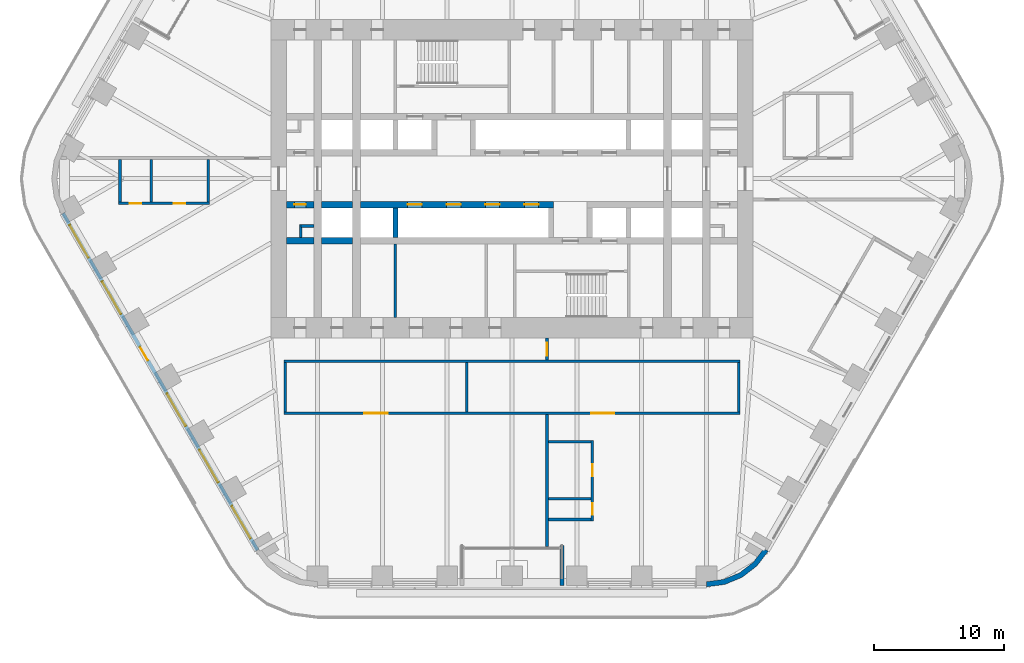
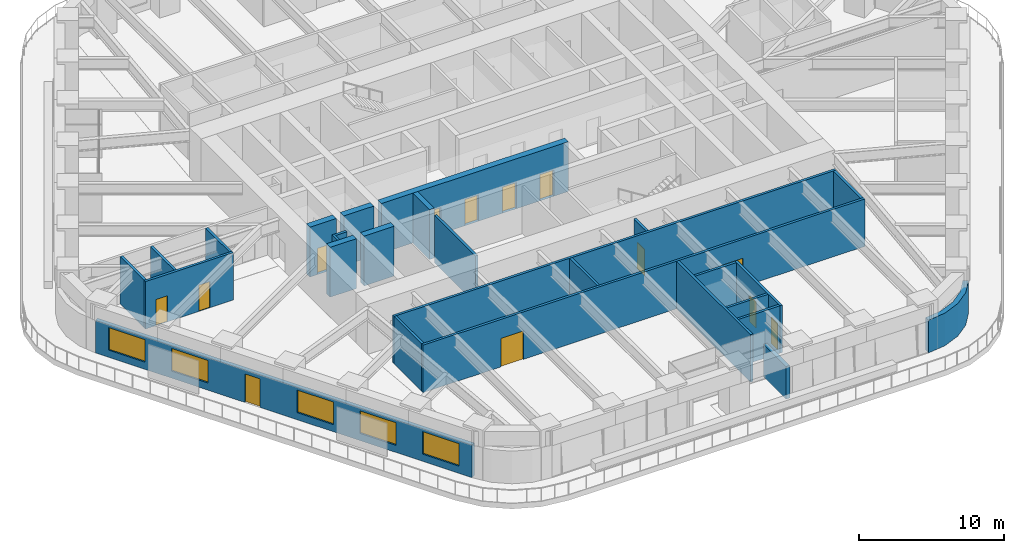
# One storey, part 17 of 24: 27 walls, 13 doors, 5 windows, 18 openings.
"""IFC4 building model written with IfcOpenShell, lengths in metres."""

from ifc_helpers import new_model, si_unit, direction, frame, frame_2d, origin, place, context, subcontext, project, spatial, polyline, rectangle, outline, extrude, material, layer, layer_set, type_object, element, fill, save


model = new_model("IFC4")

# Units and contexts
model_context = context("Model", 3, precision=1e-05, world=origin(), true_north=direction((0.0, 1.0)))
body_context = subcontext(model_context, "Body", "Model", "MODEL_VIEW")
ifc_project = project(units=[si_unit("LENGTHUNIT", "METRE"), si_unit("AREAUNIT", "SQUARE_METRE"), si_unit("VOLUMEUNIT", "CUBIC_METRE"), si_unit("PLANEANGLEUNIT", "RADIAN"), si_unit("MASSUNIT", "GRAM", prefix="KILO")], contexts=[model_context])

# Site, building, storey
site_placement = place(None, origin())
site = spatial("IfcSite", under=ifc_project, at=site_placement, CompositionType="ELEMENT")
building_placement = place(site_placement, origin())
building = spatial("IfcBuilding", under=site, at=building_placement, Name="Tarfa Lantern Tower", CompositionType="ELEMENT")
storey_placement = place(building_placement, frame((0.0, 0.0, 157.300048828125)))
storey = spatial("IfcBuildingStorey", under=building, at=storey_placement, Name="L35", CompositionType="ELEMENT", Elevation=157.300048828125)

# Wall, openings, door, windows
ifc_material_1 = material(Name="Limestone cladding on blockwork", Category="masonry")
ifc_layer_1 = layer(ifc_material_1, 0.300048828125)
ifc_layer_set_1 = layer_set([ifc_layer_1], Name="EW1 STONE-CLAD WALL 300")
wall_type_1 = type_object("IfcWallType", Name="EW1 STONE-CLAD WALL 300", PredefinedType="SOLIDWALL", material=ifc_layer_set_1)
wall_1_placement = place(storey_placement, frame((-34.655517578125, -2.675048828125, 0.0), z_axis=(0.0, 0.0, 1.0), x_axis=(0.500003084452, -0.866023622968, 0.0)))
wall_1 = element("IfcWall", 1, at=wall_1_placement, inside=storey, type_object=wall_type_1, Name="Stone wall SW", PredefinedType="SOLIDWALL", context=body_context, shape_type="SweptSolid", body=[
    extrude(rectangle(XDim=30.022216796875, YDim=0.300048828125, at=frame_2d((15.01123046875, 0.0))), origin(), (0.0, 0.0, 1.0), 2.75),
])
opening_1_placement = place(wall_1_placement, frame((1.0517578125, 0.0, 0.60009765625)))
opening_1 = element("IfcOpeningElement", 2, at=opening_1_placement, cuts=wall_1, Name="Opening W9", PredefinedType="OPENING", context=body_context, shape_type="SweptSolid", body=[
    extrude(rectangle(XDim=2.89990234375, YDim=1.89990234375, at=frame_2d((1.449951171875, 0.949951171875))), frame((0.0, 0.159912109375, 0.0), z_axis=(0.0, -1.0, 0.0), x_axis=(1.0, 0.0, 0.0)), (0.0, 0.0, 1.0), 0.320068359375),
])
opening_2_placement = place(wall_1_placement, frame((6.0556640625, 0.0, 0.60009765625)))
opening_2 = element("IfcOpeningElement", 3, at=opening_2_placement, cuts=wall_1, Name="Opening W9", PredefinedType="OPENING", context=body_context, shape_type="SweptSolid", body=[
    extrude(rectangle(XDim=2.89990234375, YDim=1.89990234375, at=frame_2d((1.449951171875, 0.949951171875))), frame((0.0, 0.159912109375, 0.0), z_axis=(0.0, -1.0, 0.0), x_axis=(1.0, 0.0, 0.0)), (0.0, 0.0, 1.0), 0.320068359375),
])
opening_3_placement = place(wall_1_placement, frame((11.9091796875, 0.0, 0.0)))
opening_3 = element("IfcOpeningElement", 4, at=opening_3_placement, cuts=wall_1, Name="Opening D50", PredefinedType="OPENING", context=body_context, shape_type="SweptSolid", body=[
    extrude(rectangle(XDim=1.199951171875, YDim=2.39990234375, at=frame_2d((0.60009765625, 1.199951171875))), frame((0.0, 0.159912109375, 0.0), z_axis=(0.0, -1.0, 0.0), x_axis=(1.0, 0.0, 0.0)), (0.0, 0.0, 1.0), 0.320068359375),
])
opening_4_placement = place(wall_1_placement, frame((16.06298828125, 0.0, 0.60009765625)))
opening_4 = element("IfcOpeningElement", 5, at=opening_4_placement, cuts=wall_1, Name="Opening W9", PredefinedType="OPENING", context=body_context, shape_type="SweptSolid", body=[
    extrude(rectangle(XDim=2.89990234375, YDim=1.89990234375, at=frame_2d((1.449951171875, 0.949951171875))), frame((0.0, 0.159912109375, 0.0), z_axis=(0.0, -1.0, 0.0), x_axis=(1.0, 0.0, 0.0)), (0.0, 0.0, 1.0), 0.320068359375),
])
opening_5_placement = place(wall_1_placement, frame((21.066650390625, 0.0, 0.60009765625)))
opening_5 = element("IfcOpeningElement", 6, at=opening_5_placement, cuts=wall_1, Name="Opening W9", PredefinedType="OPENING", context=body_context, shape_type="SweptSolid", body=[
    extrude(rectangle(XDim=2.89990234375, YDim=1.89990234375, at=frame_2d((1.449951171875, 0.949951171875))), frame((0.0, 0.159912109375, 0.0), z_axis=(0.0, -1.0, 0.0), x_axis=(1.0, 0.0, 0.0)), (0.0, 0.0, 1.0), 0.320068359375),
])
opening_6_placement = place(wall_1_placement, frame((26.0703125, 0.0, 0.60009765625)))
opening_6 = element("IfcOpeningElement", 7, at=opening_6_placement, cuts=wall_1, Name="Opening W9", PredefinedType="OPENING", context=body_context, shape_type="SweptSolid", body=[
    extrude(rectangle(XDim=2.89990234375, YDim=1.89990234375, at=frame_2d((1.449951171875, 0.949951171875))), frame((0.0, 0.159912109375, 0.0), z_axis=(0.0, -1.0, 0.0), x_axis=(1.0, 0.0, 0.0)), (0.0, 0.0, 1.0), 0.320068359375),
])
ifc_material_2 = material(Name="Aluminium framed glazed door", Category="aluminium")
door_type_1 = type_object("IfcDoorType", Name="BE3 BALCONY DOOR 1200x2400", OperationType="SINGLE_SWING_RIGHT", PredefinedType="DOOR", material=ifc_material_2)
door_1_placement = place(opening_3_placement, origin())
door_1 = element("IfcDoor", 8, at=door_1_placement, inside=storey, type_object=door_type_1, Name="Balcony door SW", OperationType="SINGLE_SWING_RIGHT", OverallHeight=2.39990234375, OverallWidth=1.199951171875, PredefinedType="DOOR", context=body_context, shape_type="SweptSolid", body=[
    extrude(rectangle(XDim=1.199951171875, YDim=2.39990234375, at=frame_2d((0.60009765625, 1.199951171875))), frame((0.0, 0.02490234375, 0.0), z_axis=(0.0, -1.0, 0.0), x_axis=(1.0, 0.0, 0.0)), (0.0, 0.0, 1.0), 0.050048828125),
])
fill(opening_3, door_1)
ifc_material_3 = material(Name="Aluminium frame, double glazed", Category="aluminium")
window_type = type_object("IfcWindowType", Name="W9 FULL-HEIGHT GLAZING 2900x1900", PartitioningType="SINGLE_PANEL", PredefinedType="WINDOW", material=ifc_material_3)
window_1_placement = place(opening_1_placement, origin())
window_1 = element("IfcWindow", 9, at=window_1_placement, inside=storey, type_object=window_type, Name="Window SW 1", OverallHeight=1.89990234375, OverallWidth=2.89990234375, PartitioningType="SINGLE_PANEL", PredefinedType="WINDOW", context=body_context, shape_type="SweptSolid", body=[
    extrude(rectangle(XDim=2.89990234375, YDim=1.89990234375, at=frame_2d((1.449951171875, 0.949951171875))), frame((0.0, 0.030029296875, 0.0), z_axis=(0.0, -1.0, 0.0), x_axis=(1.0, 0.0, 0.0)), (0.0, 0.0, 1.0), 0.06005859375),
])
fill(opening_1, window_1)
window_2_placement = place(opening_2_placement, origin())
window_2 = element("IfcWindow", 10, at=window_2_placement, inside=storey, type_object=window_type, Name="Window SW 2", OverallHeight=1.89990234375, OverallWidth=2.89990234375, PartitioningType="SINGLE_PANEL", PredefinedType="WINDOW", context=body_context, shape_type="SweptSolid", body=[
    extrude(rectangle(XDim=2.89990234375, YDim=1.89990234375, at=frame_2d((1.449951171875, 0.949951171875))), frame((0.0, 0.030029296875, 0.0), z_axis=(0.0, -1.0, 0.0), x_axis=(1.0, 0.0, 0.0)), (0.0, 0.0, 1.0), 0.06005859375),
])
fill(opening_2, window_2)
window_3_placement = place(opening_4_placement, origin())
window_3 = element("IfcWindow", 11, at=window_3_placement, inside=storey, type_object=window_type, Name="Window SW 4", OverallHeight=1.89990234375, OverallWidth=2.89990234375, PartitioningType="SINGLE_PANEL", PredefinedType="WINDOW", context=body_context, shape_type="SweptSolid", body=[
    extrude(rectangle(XDim=2.89990234375, YDim=1.89990234375, at=frame_2d((1.449951171875, 0.949951171875))), frame((0.0, 0.030029296875, 0.0), z_axis=(0.0, -1.0, 0.0), x_axis=(1.0, 0.0, 0.0)), (0.0, 0.0, 1.0), 0.06005859375),
])
fill(opening_4, window_3)
window_4_placement = place(opening_5_placement, origin())
window_4 = element("IfcWindow", 12, at=window_4_placement, inside=storey, type_object=window_type, Name="Window SW 5", OverallHeight=1.89990234375, OverallWidth=2.89990234375, PartitioningType="SINGLE_PANEL", PredefinedType="WINDOW", context=body_context, shape_type="SweptSolid", body=[
    extrude(rectangle(XDim=2.89990234375, YDim=1.89990234375, at=frame_2d((1.449951171875, 0.949951171875))), frame((0.0, 0.030029296875, 0.0), z_axis=(0.0, -1.0, 0.0), x_axis=(1.0, 0.0, 0.0)), (0.0, 0.0, 1.0), 0.06005859375),
])
fill(opening_5, window_4)
window_5_placement = place(opening_6_placement, origin())
window_5 = element("IfcWindow", 13, at=window_5_placement, inside=storey, type_object=window_type, Name="Window SW 6", OverallHeight=1.89990234375, OverallWidth=2.89990234375, PartitioningType="SINGLE_PANEL", PredefinedType="WINDOW", context=body_context, shape_type="SweptSolid", body=[
    extrude(rectangle(XDim=2.89990234375, YDim=1.89990234375, at=frame_2d((1.449951171875, 0.949951171875))), frame((0.0, 0.030029296875, 0.0), z_axis=(0.0, -1.0, 0.0), x_axis=(1.0, 0.0, 0.0)), (0.0, 0.0, 1.0), 0.06005859375),
])
fill(opening_6, window_5)

# Walls
wall_2_placement = place(storey_placement, frame((3.853759765625, -31.39990234375, 0.0), z_axis=(0.0, 0.0, 1.0), x_axis=(0.0, 1.0, 0.0)))
element("IfcWall", 14, at=wall_2_placement, inside=storey, type_object=wall_type_1, Name="Loggia return S 2", PredefinedType="SOLIDWALL", context=body_context, shape_type="SweptSolid", body=[
    extrude(rectangle(XDim=3.099853515625, YDim=0.300048828125, at=frame_2d((1.5498046875, 0.0))), origin(), (0.0, 0.0, 1.0), 2.75),
])
ifc_layer_2 = layer(ifc_material_1, 0.39990234375)
ifc_layer_set_2 = layer_set([ifc_layer_2], Name="EW2 CURVED STONE CORNER 400")
wall_type_2 = type_object("IfcWallType", Name="EW2 CURVED STONE CORNER 400", PredefinedType="SOLIDWALL", material=ifc_layer_set_2)
wall_3_placement = place(storey_placement, origin())
element("IfcWall", 15, at=wall_3_placement, inside=storey, type_object=wall_type_2, Name="Stone corner S-SE", PredefinedType="SOLIDWALL", context=body_context, shape_type="SweptSolid", body=[
    extrude(outline(polyline([(15.010986328125, -31.5), (16.4345703125, -31.3125), (17.760986328125, -30.76318359375), (18.900146484375, -29.88916015625), (19.774169921875, -28.75), (19.427734375, -28.550048828125), (18.617431640625, -29.606201171875), (17.56103515625, -30.416748046875), (16.3310546875, -30.92626953125), (15.010986328125, -31.10009765625), (15.010986328125, -31.5)])), origin(), (0.0, 0.0, 1.0), 2.75),
])
ifc_material_4 = material(Name="Concrete blockwork", Category="masonry")
ifc_layer_3 = layer(ifc_material_4, 0.199951171875)
ifc_layer_set_3 = layer_set([ifc_layer_3], Name="IW1 BLOCKWORK PARTITION 200 EI 120")
wall_type_3 = type_object("IfcWallType", Name="IW1 BLOCKWORK PARTITION 200 EI 120", PredefinedType="PARTITIONING", material=ifc_layer_set_3)
wall_4_placement = place(storey_placement, frame((-9.0, -5.050048828125, 0.0), z_axis=(0.0, 0.0, 1.0), x_axis=(0.0, -1.0, 0.0)))
element("IfcWall", 16, at=wall_4_placement, inside=storey, type_object=wall_type_3, Name="Core partition", PredefinedType="PARTITIONING", context=body_context, shape_type="SweptSolid", body=[
    extrude(rectangle(XDim=5.64990234375, YDim=0.199951171875, at=frame_2d((2.824951171875, 0.0))), origin(), (0.0, 0.0, 1.0), 4.0),
])
for number, where, z_axis, x_axis, name in (
    (17, (-15.300048828125, -3.64990234375, 0.0), (0.0, 0.0, 1.0), (-1.0, 0.0, 0.0), "Core partition"),
    (18, (-16.300048828125, -3.550048828125, 0.0), (0.0, 0.0, 1.0), (0.0, -1.0, 0.0), "Core partition"),
):
    element("IfcWall", number, at=place(storey_placement, frame(where, z_axis=z_axis, x_axis=x_axis)), inside=storey, type_object=wall_type_3, Name=name, PredefinedType="PARTITIONING", context=body_context, shape_type="SweptSolid", body=[
        extrude(rectangle(XDim=1.0, YDim=0.199951171875, at=frame_2d((0.5, 0.0))), origin(), (0.0, 0.0, 1.0), 4.0),
    ])
ifc_material_5 = material(Name="Gypsum board on steel studs", Category="steel")
ifc_layer_4 = layer(ifc_material_5, 0.2099609375)
ifc_layer_set_4 = layer_set([ifc_layer_4], Name="IW2 ACOUSTIC PARTITION 200")
wall_type_4 = type_object("IfcWallType", Name="IW2 ACOUSTIC PARTITION 200", PredefinedType="PARTITIONING", material=ifc_layer_set_4)
wall_5_placement = place(storey_placement, frame((17.60009765625, -14.10009765625, 0.0), z_axis=(0.0, 0.0, 1.0), x_axis=(-1.0, 0.0, 0.0)))
element("IfcWall", 19, at=wall_5_placement, inside=storey, type_object=wall_type_4, Name="Partition", PredefinedType="PARTITIONING", context=body_context, shape_type="SweptSolid", body=[
    extrude(rectangle(XDim=35.2001953125, YDim=0.199951171875, at=frame_2d((17.60009765625, 0.0))), origin(), (0.0, 0.0, 1.0), 4.0),
])

# Wall, openings, doors
wall_6_placement = place(storey_placement, frame((17.60009765625, -18.10009765625, 0.0), z_axis=(0.0, 0.0, 1.0), x_axis=(-1.0, 0.0, 0.0)))
wall_6 = element("IfcWall", 20, at=wall_6_placement, inside=storey, type_object=wall_type_4, Name="Partition", PredefinedType="PARTITIONING", context=body_context, shape_type="SweptSolid", body=[
    extrude(rectangle(XDim=35.2001953125, YDim=0.199951171875, at=frame_2d((17.60009765625, 0.0))), origin(), (0.0, 0.0, 1.0), 4.0),
])
opening_7_placement = place(wall_6_placement, frame((9.699951171875, 0.0, 0.0)))
opening_7 = element("IfcOpeningElement", 21, at=opening_7_placement, cuts=wall_6, Name="Opening D39", PredefinedType="OPENING", context=body_context, shape_type="SweptSolid", body=[
    extrude(rectangle(XDim=1.800048828125, YDim=2.39990234375, at=frame_2d((0.89990234375, 1.199951171875))), frame((0.0, 0.10986328125, 0.0), z_axis=(0.0, -1.0, 0.0), x_axis=(1.0, 0.0, 0.0)), (0.0, 0.0, 1.0), 0.219970703125),
])
opening_8_placement = place(wall_6_placement, frame((27.199951171875, 0.0, 0.0)))
opening_8 = element("IfcOpeningElement", 22, at=opening_8_placement, cuts=wall_6, Name="Opening D40", PredefinedType="OPENING", context=body_context, shape_type="SweptSolid", body=[
    extrude(rectangle(XDim=1.800048828125, YDim=2.39990234375, at=frame_2d((0.89990234375, 1.199951171875))), frame((0.0, 0.10986328125, 0.0), z_axis=(0.0, -1.0, 0.0), x_axis=(1.0, 0.0, 0.0)), (0.0, 0.0, 1.0), 0.219970703125),
])
ifc_material_6 = material(Name="Timber door", Category="wood")
door_type_2 = type_object("IfcDoorType", Name="DR2 ROOM DOOR 1800x2400", OperationType="DOUBLE_DOOR_SINGLE_SWING", PredefinedType="DOOR", material=ifc_material_6)
door_2_placement = place(opening_7_placement, frame((1.800048828125, 0.0, 0.0), z_axis=(0.0, 0.0, 1.0), x_axis=(-1.0, 0.0, 0.0)))
door_2 = element("IfcDoor", 23, at=door_2_placement, inside=storey, type_object=door_type_2, Name="Pantry door", OperationType="DOUBLE_DOOR_SINGLE_SWING", OverallHeight=2.39990234375, OverallWidth=1.800048828125, PredefinedType="DOOR", context=body_context, shape_type="SweptSolid", body=[
    extrude(rectangle(XDim=1.800048828125, YDim=2.39990234375, at=frame_2d((0.89990234375, 1.199951171875))), frame((0.0, 0.02490234375, 0.0), z_axis=(0.0, -1.0, 0.0), x_axis=(1.0, 0.0, 0.0)), (0.0, 0.0, 1.0), 0.050048828125),
])
fill(opening_7, door_2)
door_3_placement = place(opening_8_placement, frame((1.800048828125, 0.0, 0.0), z_axis=(0.0, 0.0, 1.0), x_axis=(-1.0, 0.0, 0.0)))
door_3 = element("IfcDoor", 24, at=door_3_placement, inside=storey, type_object=door_type_2, Name="Print room door", OperationType="DOUBLE_DOOR_SINGLE_SWING", OverallHeight=2.39990234375, OverallWidth=1.800048828125, PredefinedType="DOOR", context=body_context, shape_type="SweptSolid", body=[
    extrude(rectangle(XDim=1.800048828125, YDim=2.39990234375, at=frame_2d((0.89990234375, 1.199951171875))), frame((0.0, 0.02490234375, 0.0), z_axis=(0.0, -1.0, 0.0), x_axis=(1.0, 0.0, 0.0)), (0.0, 0.0, 1.0), 0.050048828125),
])
fill(opening_8, door_3)

# Walls
for number, where, z_axis, x_axis, name in (
    (25, (17.5, -14.199951171875, 0.0), (0.0, 0.0, 1.0), (0.0, -1.0, 0.0), "Partition"),
    (26, (-3.5, -14.199951171875, 0.0), (0.0, 0.0, 1.0), (0.0, -1.0, 0.0), "Partition"),
    (27, (-17.5, -14.199951171875, 0.0), (0.0, 0.0, 1.0), (0.0, -1.0, 0.0), "Partition"),
):
    element("IfcWall", number, at=place(storey_placement, frame(where, z_axis=z_axis, x_axis=x_axis)), inside=storey, type_object=wall_type_4, Name=name, PredefinedType="PARTITIONING", context=body_context, shape_type="SweptSolid", body=[
        extrude(rectangle(XDim=3.800048828125, YDim=0.199951171875, at=frame_2d((1.89990234375, 0.0))), origin(), (0.0, 0.0, 1.0), 4.0),
    ])

# Wall, opening, door
wall_7_placement = place(storey_placement, frame((2.699951171875, -12.300048828125, 0.0), z_axis=(0.0, 0.0, 1.0), x_axis=(0.0, -1.0, 0.0)))
wall_7 = element("IfcWall", 28, at=wall_7_placement, inside=storey, type_object=wall_type_4, Name="Partition", PredefinedType="PARTITIONING", context=body_context, shape_type="SweptSolid", body=[
    extrude(rectangle(XDim=1.699951171875, YDim=0.199951171875, at=frame_2d((0.85009765625, 0.0))), origin(), (0.0, 0.0, 1.0), 4.0),
])
opening_9_placement = place(wall_7_placement, frame((0.35009765625, 0.0, 0.0)))
opening_9 = element("IfcOpeningElement", 29, at=opening_9_placement, cuts=wall_7, Name="Opening D46", PredefinedType="OPENING", context=body_context, shape_type="SweptSolid", body=[
    extrude(rectangle(XDim=1.0, YDim=2.199951171875, at=frame_2d((0.5, 1.10009765625))), frame((0.0, 0.10986328125, 0.0), z_axis=(0.0, -1.0, 0.0), x_axis=(1.0, 0.0, 0.0)), (0.0, 0.0, 1.0), 0.219970703125),
])
door_type_3 = type_object("IfcDoorType", Name="DR1 ROOM DOOR 1000x2200", OperationType="SINGLE_SWING_LEFT", PredefinedType="DOOR", material=ifc_material_6)
door_4_placement = place(opening_9_placement, origin())
door_4 = element("IfcDoor", 30, at=door_4_placement, inside=storey, type_object=door_type_3, Name="Zone door", OperationType="SINGLE_SWING_LEFT", OverallHeight=2.199951171875, OverallWidth=1.0, PredefinedType="DOOR", context=body_context, shape_type="SweptSolid", body=[
    extrude(rectangle(XDim=1.0, YDim=2.199951171875, at=frame_2d((0.5, 1.10009765625))), frame((0.0, 0.02490234375, 0.0), z_axis=(0.0, -1.0, 0.0), x_axis=(1.0, 0.0, 0.0)), (0.0, 0.0, 1.0), 0.050048828125),
])
fill(opening_9, door_4)

# Wall
wall_8_placement = place(storey_placement, frame((2.699951171875, -18.199951171875, 0.0), z_axis=(0.0, 0.0, 1.0), x_axis=(0.0, -1.0, 0.0)))
element("IfcWall", 31, at=wall_8_placement, inside=storey, type_object=wall_type_4, Name="Partition", PredefinedType="PARTITIONING", context=body_context, shape_type="SweptSolid", body=[
    extrude(rectangle(XDim=10.199951171875, YDim=0.199951171875, at=frame_2d((5.10009765625, 0.0))), origin(), (0.0, 0.0, 1.0), 4.0),
])

# Wall, openings, doors
wall_9_placement = place(storey_placement, frame((6.199951171875, -20.199951171875, 0.0), z_axis=(0.0, 0.0, 1.0), x_axis=(0.0, -1.0, 0.0)))
wall_9 = element("IfcWall", 32, at=wall_9_placement, inside=storey, type_object=wall_type_4, Name="Partition", PredefinedType="PARTITIONING", context=body_context, shape_type="SweptSolid", body=[
    extrude(rectangle(XDim=6.199951171875, YDim=0.199951171875, at=frame_2d((3.10009765625, 0.0))), origin(), (0.0, 0.0, 1.0), 4.0),
])
opening_10_placement = place(wall_9_placement, frame((1.85009765625, 0.0, 0.0)))
opening_10 = element("IfcOpeningElement", 33, at=opening_10_placement, cuts=wall_9, Name="Opening D41", PredefinedType="OPENING", context=body_context, shape_type="SweptSolid", body=[
    extrude(rectangle(XDim=0.89990234375, YDim=2.199951171875, at=frame_2d((0.449951171875, 1.10009765625))), frame((0.0, 0.10986328125, 0.0), z_axis=(0.0, -1.0, 0.0), x_axis=(1.0, 0.0, 0.0)), (0.0, 0.0, 1.0), 0.219970703125),
])
opening_11_placement = place(wall_9_placement, frame((4.85009765625, 0.0, 0.0)))
opening_11 = element("IfcOpeningElement", 34, at=opening_11_placement, cuts=wall_9, Name="Opening D42", PredefinedType="OPENING", context=body_context, shape_type="SweptSolid", body=[
    extrude(rectangle(XDim=0.89990234375, YDim=2.199951171875, at=frame_2d((0.449951171875, 1.10009765625))), frame((0.0, 0.10986328125, 0.0), z_axis=(0.0, -1.0, 0.0), x_axis=(1.0, 0.0, 0.0)), (0.0, 0.0, 1.0), 0.219970703125),
])
door_type_4 = type_object("IfcDoorType", Name="DR3 ROOM DOOR 900x2200", OperationType="SINGLE_SWING_LEFT", PredefinedType="DOOR", material=ifc_material_6)
door_5_placement = place(opening_10_placement, frame((0.89990234375, 0.0, 0.0), z_axis=(0.0, 0.0, 1.0), x_axis=(-1.0, 0.0, 0.0)))
door_5 = element("IfcDoor", 35, at=door_5_placement, inside=storey, type_object=door_type_4, Name="Meeting room door", OperationType="SINGLE_SWING_LEFT", OverallHeight=2.199951171875, OverallWidth=0.89990234375, PredefinedType="DOOR", context=body_context, shape_type="SweptSolid", body=[
    extrude(rectangle(XDim=0.89990234375, YDim=2.199951171875, at=frame_2d((0.449951171875, 1.10009765625))), frame((0.0, 0.02490234375, 0.0), z_axis=(0.0, -1.0, 0.0), x_axis=(1.0, 0.0, 0.0)), (0.0, 0.0, 1.0), 0.050048828125),
])
fill(opening_10, door_5)
door_6_placement = place(opening_11_placement, frame((0.89990234375, 0.0, 0.0), z_axis=(0.0, 0.0, 1.0), x_axis=(-1.0, 0.0, 0.0)))
door_6 = element("IfcDoor", 36, at=door_6_placement, inside=storey, type_object=door_type_4, Name="Phone booth door", OperationType="SINGLE_SWING_RIGHT", OverallHeight=2.199951171875, OverallWidth=0.89990234375, PredefinedType="DOOR", context=body_context, shape_type="SweptSolid", body=[
    extrude(rectangle(XDim=0.89990234375, YDim=2.199951171875, at=frame_2d((0.449951171875, 1.10009765625))), frame((0.0, 0.02490234375, 0.0), z_axis=(0.0, -1.0, 0.0), x_axis=(1.0, 0.0, 0.0)), (0.0, 0.0, 1.0), 0.050048828125),
])
fill(opening_11, door_6)

# Walls
for number, where, z_axis, x_axis, name in (
    (37, (2.800048828125, -20.300048828125, 0.0), (0.0, 0.0, 1.0), (1.0, 0.0, 0.0), "Partition"),
    (38, (2.800048828125, -24.699951171875, 0.0), (0.0, 0.0, 1.0), (1.0, 0.0, 0.0), "Partition"),
    (39, (2.800048828125, -26.300048828125, 0.0), (0.0, 0.0, 1.0), (1.0, 0.0, 0.0), "Partition"),
):
    element("IfcWall", number, at=place(storey_placement, frame(where, z_axis=z_axis, x_axis=x_axis)), inside=storey, type_object=wall_type_4, Name=name, PredefinedType="PARTITIONING", context=body_context, shape_type="SweptSolid", body=[
        extrude(rectangle(XDim=3.300048828125, YDim=0.199951171875, at=frame_2d((1.64990234375, 0.0))), origin(), (0.0, 0.0, 1.0), 4.0),
    ])

# Wall, openings, doors
wall_10_placement = place(storey_placement, frame((-23.35107421875, -1.89990234375, 0.0), z_axis=(0.0, 0.0, 1.0), x_axis=(-1.0, 0.0, 0.0)))
wall_10 = element("IfcWall", 40, at=wall_10_placement, inside=storey, type_object=wall_type_4, Name="Partition", PredefinedType="PARTITIONING", context=body_context, shape_type="SweptSolid", body=[
    extrude(rectangle(XDim=7.0, YDim=0.199951171875, at=frame_2d((3.5, 0.0))), origin(), (0.0, 0.0, 1.0), 4.0),
])
opening_12_placement = place(wall_10_placement, frame((1.85009765625, 0.0, 0.0)))
opening_12 = element("IfcOpeningElement", 41, at=opening_12_placement, cuts=wall_10, Name="Opening D43", PredefinedType="OPENING", context=body_context, shape_type="SweptSolid", body=[
    extrude(rectangle(XDim=0.89990234375, YDim=2.199951171875, at=frame_2d((0.449951171875, 1.10009765625))), frame((0.0, 0.10986328125, 0.0), z_axis=(0.0, -1.0, 0.0), x_axis=(1.0, 0.0, 0.0)), (0.0, 0.0, 1.0), 0.219970703125),
])
opening_13_placement = place(wall_10_placement, frame((5.25, 0.0, 0.0)))
opening_13 = element("IfcOpeningElement", 42, at=opening_13_placement, cuts=wall_10, Name="Opening D44", PredefinedType="OPENING", context=body_context, shape_type="SweptSolid", body=[
    extrude(rectangle(XDim=0.89990234375, YDim=2.199951171875, at=frame_2d((0.449951171875, 1.10009765625))), frame((0.0, 0.10986328125, 0.0), z_axis=(0.0, -1.0, 0.0), x_axis=(1.0, 0.0, 0.0)), (0.0, 0.0, 1.0), 0.219970703125),
])
door_7_placement = place(opening_12_placement, frame((0.89990234375, 0.0, 0.0), z_axis=(0.0, 0.0, 1.0), x_axis=(-1.0, 0.0, 0.0)))
door_7 = element("IfcDoor", 43, at=door_7_placement, inside=storey, type_object=door_type_4, Name="Project room door", OperationType="SINGLE_SWING_LEFT", OverallHeight=2.199951171875, OverallWidth=0.89990234375, PredefinedType="DOOR", context=body_context, shape_type="SweptSolid", body=[
    extrude(rectangle(XDim=0.89990234375, YDim=2.199951171875, at=frame_2d((0.449951171875, 1.10009765625))), frame((0.0, 0.02490234375, 0.0), z_axis=(0.0, -1.0, 0.0), x_axis=(1.0, 0.0, 0.0)), (0.0, 0.0, 1.0), 0.050048828125),
])
fill(opening_12, door_7)
door_8_placement = place(opening_13_placement, frame((0.89990234375, 0.0, 0.0), z_axis=(0.0, 0.0, 1.0), x_axis=(-1.0, 0.0, 0.0)))
door_8 = element("IfcDoor", 44, at=door_8_placement, inside=storey, type_object=door_type_4, Name="Print and copy room door", OperationType="SINGLE_SWING_RIGHT", OverallHeight=2.199951171875, OverallWidth=0.89990234375, PredefinedType="DOOR", context=body_context, shape_type="SweptSolid", body=[
    extrude(rectangle(XDim=0.89990234375, YDim=2.199951171875, at=frame_2d((0.449951171875, 1.10009765625))), frame((0.0, 0.02490234375, 0.0), z_axis=(0.0, -1.0, 0.0), x_axis=(1.0, 0.0, 0.0)), (0.0, 0.0, 1.0), 0.050048828125),
])
fill(opening_13, door_8)

# Walls
for number, where, z_axis, x_axis, name in (
    (45, (-23.450927734375, 1.5, 0.0), (0.0, 0.0, 1.0), (0.0, -1.0, 0.0), "Partition"),
    (46, (-27.85107421875, 1.5, 0.0), (0.0, 0.0, 1.0), (0.0, -1.0, 0.0), "Partition"),
    (47, (-30.2509765625, 1.5, 0.0), (0.0, 0.0, 1.0), (0.0, -1.0, 0.0), "Partition"),
):
    element("IfcWall", number, at=place(storey_placement, frame(where, z_axis=z_axis, x_axis=x_axis)), inside=storey, type_object=wall_type_4, Name=name, PredefinedType="PARTITIONING", context=body_context, shape_type="SweptSolid", body=[
        extrude(rectangle(XDim=3.300048828125, YDim=0.199951171875, at=frame_2d((1.64990234375, 0.0))), origin(), (0.0, 0.0, 1.0), 4.0),
    ])

# Wall, openings, doors
ifc_material_7 = material(Name="Concrete C80/95", Category="concrete")
ifc_layer_5 = layer(ifc_material_7, 0.5)
ifc_layer_set_5 = layer_set([ifc_layer_5], Name="SW5 CORE WALL 500")
wall_type_5 = type_object("IfcWallType", Name="SW5 CORE WALL 500", PredefinedType="SHEAR", material=ifc_layer_set_5)
wall_11_placement = place(storey_placement, frame((3.199951171875, -2.0, 0.0), z_axis=(0.0, 0.0, 1.0), x_axis=(-1.0, 0.0, 0.0)))
wall_11 = element("IfcWall", 48, at=wall_11_placement, inside=storey, type_object=wall_type_5, Name="Core wall lobby east S", PredefinedType="SHEAR", context=body_context, shape_type="SweptSolid", body=[
    extrude(rectangle(XDim=14.89990234375, YDim=0.5, at=frame_2d((7.449951171875, 0.0))), origin(), (0.0, 0.0, 1.0), 4.199951171875),
])
opening_14_placement = place(wall_11_placement, frame((1.14990234375, 0.0, 0.0)))
opening_14 = element("IfcOpeningElement", 49, at=opening_14_placement, cuts=wall_11, Name="Opening LD07", PredefinedType="OPENING", context=body_context, shape_type="SweptSolid", body=[
    extrude(rectangle(XDim=1.10009765625, YDim=2.199951171875, at=frame_2d((0.550048828125, 1.10009765625))), frame((0.0, 0.260009765625, 0.0), z_axis=(0.0, -1.0, 0.0), x_axis=(1.0, 0.0, 0.0)), (0.0, 0.0, 1.0), 0.52001953125),
])
opening_15_placement = place(wall_11_placement, frame((4.14990234375, 0.0, 0.0)))
opening_15 = element("IfcOpeningElement", 50, at=opening_15_placement, cuts=wall_11, Name="Opening LD08", PredefinedType="OPENING", context=body_context, shape_type="SweptSolid", body=[
    extrude(rectangle(XDim=1.10009765625, YDim=2.199951171875, at=frame_2d((0.550048828125, 1.10009765625))), frame((0.0, 0.260009765625, 0.0), z_axis=(0.0, -1.0, 0.0), x_axis=(1.0, 0.0, 0.0)), (0.0, 0.0, 1.0), 0.52001953125),
])
opening_16_placement = place(wall_11_placement, frame((7.14990234375, 0.0, 0.0)))
opening_16 = element("IfcOpeningElement", 51, at=opening_16_placement, cuts=wall_11, Name="Opening LD09", PredefinedType="OPENING", context=body_context, shape_type="SweptSolid", body=[
    extrude(rectangle(XDim=1.10009765625, YDim=2.199951171875, at=frame_2d((0.550048828125, 1.10009765625))), frame((0.0, 0.260009765625, 0.0), z_axis=(0.0, -1.0, 0.0), x_axis=(1.0, 0.0, 0.0)), (0.0, 0.0, 1.0), 0.52001953125),
])
opening_17_placement = place(wall_11_placement, frame((10.14990234375, 0.0, 0.0)))
opening_17 = element("IfcOpeningElement", 52, at=opening_17_placement, cuts=wall_11, Name="Opening LD10", PredefinedType="OPENING", context=body_context, shape_type="SweptSolid", body=[
    extrude(rectangle(XDim=1.10009765625, YDim=2.199951171875, at=frame_2d((0.550048828125, 1.10009765625))), frame((0.0, 0.260009765625, 0.0), z_axis=(0.0, -1.0, 0.0), x_axis=(1.0, 0.0, 0.0)), (0.0, 0.0, 1.0), 0.52001953125),
])
ifc_material_8 = material(Name="Stainless steel lift door", Category="steel")
door_type_5 = type_object("IfcDoorType", Name="LD2 LIFT LANDING DOOR 1100x2200", OperationType="SLIDING_TO_LEFT", PredefinedType="DOOR", material=ifc_material_8)
door_9_placement = place(opening_14_placement, frame((1.10009765625, 0.0, 0.0), z_axis=(0.0, 0.0, 1.0), x_axis=(-1.0, 0.0, 0.0)))
door_9 = element("IfcDoor", 53, at=door_9_placement, inside=storey, type_object=door_type_5, Name="Landing door PB5", OperationType="SLIDING_TO_LEFT", OverallHeight=2.199951171875, OverallWidth=1.10009765625, PredefinedType="DOOR", context=body_context, shape_type="SweptSolid", body=[
    extrude(rectangle(XDim=1.10009765625, YDim=2.199951171875, at=frame_2d((0.550048828125, 1.10009765625))), frame((0.0, 0.02490234375, 0.0), z_axis=(0.0, -1.0, 0.0), x_axis=(1.0, 0.0, 0.0)), (0.0, 0.0, 1.0), 0.050048828125),
])
fill(opening_14, door_9)
door_10_placement = place(opening_15_placement, frame((1.10009765625, 0.0, 0.0), z_axis=(0.0, 0.0, 1.0), x_axis=(-1.0, 0.0, 0.0)))
door_10 = element("IfcDoor", 54, at=door_10_placement, inside=storey, type_object=door_type_5, Name="Landing door PB6", OperationType="SLIDING_TO_LEFT", OverallHeight=2.199951171875, OverallWidth=1.10009765625, PredefinedType="DOOR", context=body_context, shape_type="SweptSolid", body=[
    extrude(rectangle(XDim=1.10009765625, YDim=2.199951171875, at=frame_2d((0.550048828125, 1.10009765625))), frame((0.0, 0.02490234375, 0.0), z_axis=(0.0, -1.0, 0.0), x_axis=(1.0, 0.0, 0.0)), (0.0, 0.0, 1.0), 0.050048828125),
])
fill(opening_15, door_10)
door_11_placement = place(opening_16_placement, frame((1.10009765625, 0.0, 0.0), z_axis=(0.0, 0.0, 1.0), x_axis=(-1.0, 0.0, 0.0)))
door_11 = element("IfcDoor", 55, at=door_11_placement, inside=storey, type_object=door_type_5, Name="Landing door PB7", OperationType="SLIDING_TO_LEFT", OverallHeight=2.199951171875, OverallWidth=1.10009765625, PredefinedType="DOOR", context=body_context, shape_type="SweptSolid", body=[
    extrude(rectangle(XDim=1.10009765625, YDim=2.199951171875, at=frame_2d((0.550048828125, 1.10009765625))), frame((0.0, 0.02490234375, 0.0), z_axis=(0.0, -1.0, 0.0), x_axis=(1.0, 0.0, 0.0)), (0.0, 0.0, 1.0), 0.050048828125),
])
fill(opening_16, door_11)
door_12_placement = place(opening_17_placement, frame((1.10009765625, 0.0, 0.0), z_axis=(0.0, 0.0, 1.0), x_axis=(-1.0, 0.0, 0.0)))
door_12 = element("IfcDoor", 56, at=door_12_placement, inside=storey, type_object=door_type_5, Name="Landing door PB8", OperationType="SLIDING_TO_LEFT", OverallHeight=2.199951171875, OverallWidth=1.10009765625, PredefinedType="DOOR", context=body_context, shape_type="SweptSolid", body=[
    extrude(rectangle(XDim=1.10009765625, YDim=2.199951171875, at=frame_2d((0.550048828125, 1.10009765625))), frame((0.0, 0.02490234375, 0.0), z_axis=(0.0, -1.0, 0.0), x_axis=(1.0, 0.0, 0.0)), (0.0, 0.0, 1.0), 0.050048828125),
])
fill(opening_17, door_12)

# Wall
wall_12_placement = place(storey_placement, frame((-12.300048828125, -2.0, 0.0), z_axis=(0.0, 0.0, 1.0), x_axis=(-1.0, 0.0, 0.0)))
element("IfcWall", 57, at=wall_12_placement, inside=storey, type_object=wall_type_5, Name="Core wall lobby east S", PredefinedType="SHEAR", context=body_context, shape_type="SweptSolid", body=[
    extrude(rectangle(XDim=2.39990234375, YDim=0.5, at=frame_2d((1.199951171875, 0.0))), origin(), (0.0, 0.0, 1.0), 4.199951171875),
])

# Wall, opening, door
wall_13_placement = place(storey_placement, frame((-15.300048828125, -2.0, 0.0), z_axis=(0.0, 0.0, 1.0), x_axis=(-1.0, 0.0, 0.0)))
wall_13 = element("IfcWall", 58, at=wall_13_placement, inside=storey, type_object=wall_type_5, Name="Core wall lobby east S", PredefinedType="SHEAR", context=body_context, shape_type="SweptSolid", body=[
    extrude(rectangle(XDim=2.099853515625, YDim=0.5, at=frame_2d((1.0498046875, 0.0))), origin(), (0.0, 0.0, 1.0), 4.199951171875),
])
opening_18_placement = place(wall_13_placement, frame((0.60009765625, 0.0, 0.0)))
opening_18 = element("IfcOpeningElement", 59, at=opening_18_placement, cuts=wall_13, Name="Opening D18", PredefinedType="OPENING", context=body_context, shape_type="SweptSolid", body=[
    extrude(rectangle(XDim=0.89990234375, YDim=2.199951171875, at=frame_2d((0.449951171875, 1.10009765625))), frame((0.0, 0.260009765625, 0.0), z_axis=(0.0, -1.0, 0.0), x_axis=(1.0, 0.0, 0.0)), (0.0, 0.0, 1.0), 0.52001953125),
])
ifc_material_9 = material(Name="Steel fire door", Category="steel")
door_type_6 = type_object("IfcDoorType", Name="DF6 SERVICE ROOM DOOR 900x2200", OperationType="SINGLE_SWING_LEFT", PredefinedType="DOOR", material=ifc_material_9)
door_13_placement = place(opening_18_placement, origin())
door_13 = element("IfcDoor", 60, at=door_13_placement, inside=storey, type_object=door_type_6, Name="Service room door", OperationType="SINGLE_SWING_LEFT", OverallHeight=2.199951171875, OverallWidth=0.89990234375, PredefinedType="DOOR", context=body_context, shape_type="SweptSolid", body=[
    extrude(rectangle(XDim=0.89990234375, YDim=2.199951171875, at=frame_2d((0.449951171875, 1.10009765625))), frame((0.0, 0.02490234375, 0.0), z_axis=(0.0, -1.0, 0.0), x_axis=(1.0, 0.0, 0.0)), (0.0, 0.0, 1.0), 0.050048828125),
])
fill(opening_18, door_13)

# Walls
wall_14_placement = place(storey_placement, frame((-12.300048828125, -4.800048828125, 0.0), z_axis=(0.0, 0.0, 1.0), x_axis=(-1.0, 0.0, 0.0)))
element("IfcWall", 61, at=wall_14_placement, inside=storey, type_object=wall_type_5, Name="Core wall rear S", PredefinedType="SHEAR", context=body_context, shape_type="SweptSolid", body=[
    extrude(rectangle(XDim=2.39990234375, YDim=0.5, at=frame_2d((1.199951171875, 0.0))), origin(), (0.0, 0.0, 1.0), 4.199951171875),
])
wall_15_placement = place(storey_placement, frame((-15.300048828125, -4.800048828125, 0.0), z_axis=(0.0, 0.0, 1.0), x_axis=(-1.0, 0.0, 0.0)))
element("IfcWall", 62, at=wall_15_placement, inside=storey, type_object=wall_type_5, Name="Core wall rear S", PredefinedType="SHEAR", context=body_context, shape_type="SweptSolid", body=[
    extrude(rectangle(XDim=2.099853515625, YDim=0.5, at=frame_2d((1.0498046875, 0.0))), origin(), (0.0, 0.0, 1.0), 4.199951171875),
])
ifc_layer_6 = layer(ifc_material_7, 0.39990234375)
ifc_layer_set_6 = layer_set([ifc_layer_6], Name="SW6 CORE WALL 400")
wall_type_6 = type_object("IfcWallType", Name="SW6 CORE WALL 400", PredefinedType="SHEAR", material=ifc_layer_set_6)
wall_16_placement = place(storey_placement, frame((-9.0, -2.25, 0.0), z_axis=(0.0, 0.0, 1.0), x_axis=(0.0, -1.0, 0.0)))
element("IfcWall", 63, at=wall_16_placement, inside=storey, type_object=wall_type_6, Name="Core wall divider S", PredefinedType="SHEAR", context=body_context, shape_type="SweptSolid", body=[
    extrude(rectangle(XDim=2.300048828125, YDim=0.39990234375, at=frame_2d((1.14990234375, 0.0))), origin(), (0.0, 0.0, 1.0), 4.199951171875),
])

save(model, "model.ifc")
